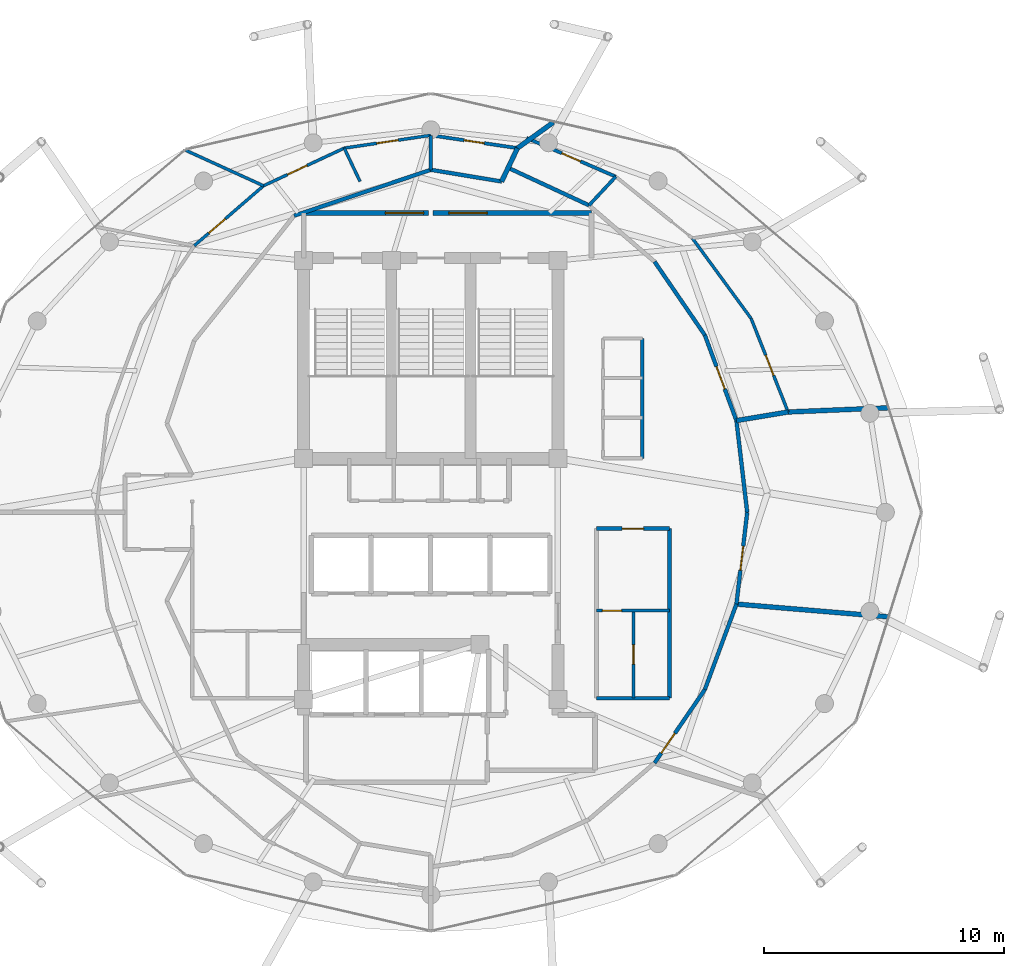
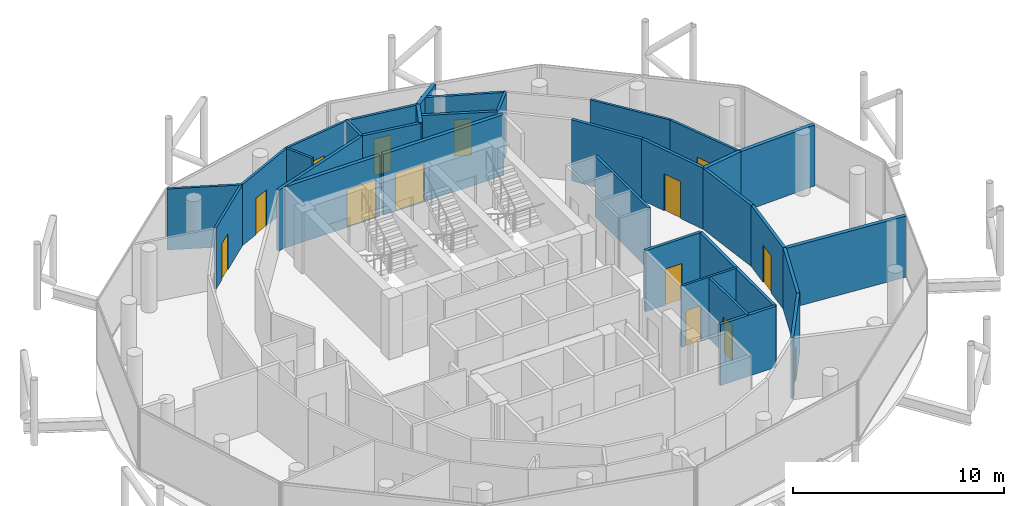
# One storey, part 22 of 24: 33 walls, 14 doors, 14 openings.
"""IFC4 building model written with IfcOpenShell, lengths in metres."""

from ifc_helpers import new_model, si_unit, direction, frame, frame_2d, origin, place, context, subcontext, project, spatial, rectangle, extrude, material, layer, layer_set, type_object, element, fill, save


model = new_model("IFC4")

# Units and contexts
model_context = context("Model", 3, precision=1e-05, world=origin(), true_north=direction((0.0, 1.0)))
body_context = subcontext(model_context, "Body", "Model", "MODEL_VIEW")
ifc_project = project(units=[si_unit("LENGTHUNIT", "METRE"), si_unit("AREAUNIT", "SQUARE_METRE"), si_unit("VOLUMEUNIT", "CUBIC_METRE"), si_unit("PLANEANGLEUNIT", "RADIAN"), si_unit("MASSUNIT", "GRAM", prefix="KILO")], contexts=[model_context])

# Site, building, storey
site_placement = place(None, origin())
site = spatial("IfcSite", under=ifc_project, at=site_placement, CompositionType="ELEMENT")
building_placement = place(site_placement, origin())
building = spatial("IfcBuilding", under=site, at=building_placement, Name="Nuhasar Tower", CompositionType="ELEMENT")
storey_placement = place(building_placement, frame((0.0, 0.0, 289.800048828125)))
storey = spatial("IfcBuildingStorey", under=building, at=storey_placement, Name="L72", CompositionType="ELEMENT", Elevation=289.800048828125)

# Walls
ifc_material_1 = material(Name="Gypsum Board", Category="gypsum")
ifc_layer_1 = layer(ifc_material_1, 0.159912109375)
ifc_layer_set_1 = layer_set([ifc_layer_1], Name="Gypsum Board")
wall_type_1 = type_object("IfcWallType", Name="WL-CORR-160", PredefinedType="PARTITIONING", material=ifc_layer_set_1)
wall_1_placement = place(storey_placement, frame((45.89990234375, 19.050048828125, 0.0), z_axis=(0.0, 0.0, 1.0), x_axis=(1.0, 0.0, 0.0)))
element("IfcWall", 1, at=wall_1_placement, inside=storey, type_object=wall_type_1, Name="L72 Interior Partition RECL-B2-S", PredefinedType="PARTITIONING", context=body_context, shape_type="SweptSolid", body=[
    extrude(rectangle(XDim=3.050048828125, YDim=0.159912109375, at=frame_2d((1.52490234375, 0.0))), origin(), (0.0, 0.0, 1.0), 3.5400390625),
])
wall_2_placement = place(storey_placement, frame((48.949951171875, 19.050048828125, 0.0), z_axis=(0.0, 0.0, 1.0), x_axis=(0.0, 1.0, 0.0)))
element("IfcWall", 2, at=wall_2_placement, inside=storey, type_object=wall_type_1, Name="L72 Interior Partition RECL-B2-E", PredefinedType="PARTITIONING", context=body_context, shape_type="SweptSolid", body=[
    extrude(rectangle(XDim=7.070068359375, YDim=0.159912109375, at=frame_2d((3.53515625, 0.0))), origin(), (0.0, 0.0, 1.0), 3.5400390625),
])

# Wall, opening, door
wall_3_placement = place(storey_placement, frame((48.949951171875, 26.1201171875, 0.0), z_axis=(0.0, 0.0, 1.0), x_axis=(-1.0, 0.0, 0.0)))
wall_3 = element("IfcWall", 3, at=wall_3_placement, inside=storey, type_object=wall_type_1, Name="L72 Interior Partition RECL-B2-N", PredefinedType="PARTITIONING", context=body_context, shape_type="SweptSolid", body=[
    extrude(rectangle(XDim=3.050048828125, YDim=0.159912109375, at=frame_2d((1.52490234375, 0.0))), origin(), (0.0, 0.0, 1.0), 3.5400390625),
])
opening_1_placement = place(wall_3_placement, frame((1.074951171875, 0.0, 0.0)))
opening_1 = element("IfcOpeningElement", 4, at=opening_1_placement, cuts=wall_3, Name="Opening DR-01", PredefinedType="OPENING", context=body_context, shape_type="SweptSolid", body=[
    extrude(rectangle(XDim=0.89990234375, YDim=2.10009765625, at=frame_2d((0.449951171875, 1.050048828125))), frame((0.0, 0.08984375, 0.0), z_axis=(0.0, -1.0, 0.0), x_axis=(1.0, 0.0, 0.0)), (0.0, 0.0, 1.0), 0.179931640625),
])
ifc_material_2 = material(Name="Timber Oak", Category="wood")
door_type_1 = type_object("IfcDoorType", Name="DR-ROOM-900", OperationType="NOTDEFINED", PredefinedType="DOOR", material=ifc_material_2)
door_1_placement = place(opening_1_placement, origin())
door_1 = element("IfcDoor", 5, at=door_1_placement, inside=storey, type_object=door_type_1, Name="L72 Telemetry Closet Door", OperationType="SINGLE_SWING_LEFT", OverallHeight=2.10009765625, OverallWidth=0.89990234375, PredefinedType="DOOR", context=body_context, shape_type="SweptSolid", body=[
    extrude(rectangle(XDim=0.89990234375, YDim=2.10009765625, at=frame_2d((0.449951171875, 1.050048828125))), frame((0.0, 0.02490234375, 0.0), z_axis=(0.0, -1.0, 0.0), x_axis=(1.0, 0.0, 0.0)), (0.0, 0.0, 1.0), 0.050048828125),
])
fill(opening_1, door_1)

wall_4_placement = place(storey_placement, frame((50.423095703125, 19.409912109375, 0.0), z_axis=(0.0, 0.0, 1.0), x_axis=(-0.565044823329, -0.825060208487, 0.0)))
wall_4 = element("IfcWall", 6, at=wall_4_placement, inside=storey, type_object=wall_type_1, Name="L72 Interior Partition CORR-42", PredefinedType="PARTITIONING", context=body_context, shape_type="SweptSolid", body=[
    extrude(rectangle(XDim=3.709716796875, YDim=0.159912109375, at=frame_2d((1.85498046875, 0.0))), origin(), (0.0, 0.0, 1.0), 3.5400390625),
])
opening_2_placement = place(wall_4_placement, frame((2.208984375, 0.0, 0.0)))
opening_2 = element("IfcOpeningElement", 7, at=opening_2_placement, cuts=wall_4, Name="Opening DU-02", PredefinedType="OPENING", context=body_context, shape_type="SweptSolid", body=[
    extrude(rectangle(XDim=1.0, YDim=2.14990234375, at=frame_2d((0.5, 1.074951171875))), frame((0.0, 0.08984375, 0.0), z_axis=(0.0, -1.0, 0.0), x_axis=(1.0, 0.0, 0.0)), (0.0, 0.0, 1.0), 0.179931640625),
])
door_type_2 = type_object("IfcDoorType", Name="DR-FLAT-FD60-1000", OperationType="NOTDEFINED", PredefinedType="DOOR", material=ifc_material_2)
door_2_placement = place(opening_2_placement, origin())
door_2 = element("IfcDoor", 8, at=door_2_placement, inside=storey, type_object=door_type_2, Name="L72 Hydrotherapy Treatment Clinic Entrance Door", OperationType="SINGLE_SWING_RIGHT", OverallHeight=2.14990234375, OverallWidth=1.0, PredefinedType="DOOR", context=body_context, shape_type="SweptSolid", body=[
    extrude(rectangle(XDim=1.0, YDim=2.14990234375, at=frame_2d((0.5, 1.074951171875))), frame((0.0, 0.02490234375, 0.0), z_axis=(0.0, -1.0, 0.0), x_axis=(1.0, 0.0, 0.0)), (0.0, 0.0, 1.0), 0.050048828125),
])
fill(opening_2, door_2)

# Wall
wall_5_placement = place(storey_placement, frame((50.423095703125, 19.409912109375, 0.0), z_axis=(0.0, 0.0, 1.0), x_axis=(0.346720166633, 0.937968616773, 0.0)))
element("IfcWall", 9, at=wall_5_placement, inside=storey, type_object=wall_type_1, Name="L72 Interior Partition CORR-44", PredefinedType="PARTITIONING", context=body_context, shape_type="SweptSolid", body=[
    extrude(rectangle(XDim=3.801025390625, YDim=0.159912109375, at=frame_2d((1.900390625, 0.0))), origin(), (0.0, 0.0, 1.0), 3.5400390625),
])

# Wall, opening, door
wall_6_placement = place(storey_placement, frame((52.18994140625, 26.800048828125, 0.0), z_axis=(0.0, 0.0, 1.0), x_axis=(-0.116580098154, -0.993181292974, 0.0)))
wall_6 = element("IfcWall", 10, at=wall_6_placement, inside=storey, type_object=wall_type_1, Name="L72 Interior Partition CORR-46", PredefinedType="PARTITIONING", context=body_context, shape_type="SweptSolid", body=[
    extrude(rectangle(XDim=3.851318359375, YDim=0.159912109375, at=frame_2d((1.92578125, 0.0))), origin(), (0.0, 0.0, 1.0), 3.5400390625),
])
opening_3_placement = place(wall_6_placement, frame((1.426025390625, 0.0, 0.0)))
opening_3 = element("IfcOpeningElement", 11, at=opening_3_placement, cuts=wall_6, Name="Opening DU-02", PredefinedType="OPENING", context=body_context, shape_type="SweptSolid", body=[
    extrude(rectangle(XDim=1.0, YDim=2.14990234375, at=frame_2d((0.5, 1.074951171875))), frame((0.0, 0.08984375, 0.0), z_axis=(0.0, -1.0, 0.0), x_axis=(1.0, 0.0, 0.0)), (0.0, 0.0, 1.0), 0.179931640625),
])
door_3_placement = place(opening_3_placement, origin())
door_3 = element("IfcDoor", 12, at=door_3_placement, inside=storey, type_object=door_type_2, Name="L72 Security & Butler Staff Office Entrance Door", OperationType="SINGLE_SWING_LEFT", OverallHeight=2.14990234375, OverallWidth=1.0, PredefinedType="DOOR", context=body_context, shape_type="SweptSolid", body=[
    extrude(rectangle(XDim=1.0, YDim=2.14990234375, at=frame_2d((0.5, 1.074951171875))), frame((0.0, 0.02490234375, 0.0), z_axis=(0.0, -1.0, 0.0), x_axis=(1.0, 0.0, 0.0)), (0.0, 0.0, 1.0), 0.050048828125),
])
fill(opening_3, door_3)

# Wall
wall_7_placement = place(storey_placement, frame((52.18994140625, 26.800048828125, 0.0), z_axis=(0.0, 0.0, 1.0), x_axis=(-0.116580098154, 0.993181292974, 0.0)))
element("IfcWall", 13, at=wall_7_placement, inside=storey, type_object=wall_type_1, Name="L72 Interior Partition CORR-00", PredefinedType="PARTITIONING", context=body_context, shape_type="SweptSolid", body=[
    extrude(rectangle(XDim=3.851318359375, YDim=0.159912109375, at=frame_2d((1.92578125, 0.0))), origin(), (0.0, 0.0, 1.0), 3.5400390625),
])

# Wall, opening, door
wall_8_placement = place(storey_placement, frame((50.423095703125, 34.18994140625, 0.0), z_axis=(0.0, 0.0, 1.0), x_axis=(0.346741056612, -0.937960894526, 0.0)))
wall_8 = element("IfcWall", 14, at=wall_8_placement, inside=storey, type_object=wall_type_1, Name="L72 Interior Partition CORR-02", PredefinedType="PARTITIONING", context=body_context, shape_type="SweptSolid", body=[
    extrude(rectangle(XDim=3.80078125, YDim=0.159912109375, at=frame_2d((1.900390625, 0.0))), origin(), (0.0, 0.0, 1.0), 3.5400390625),
])
opening_4_placement = place(wall_8_placement, frame((1.39990234375, 0.0, 0.0)))
opening_4 = element("IfcOpeningElement", 15, at=opening_4_placement, cuts=wall_8, Name="Opening DU-02", PredefinedType="OPENING", context=body_context, shape_type="SweptSolid", body=[
    extrude(rectangle(XDim=1.0, YDim=2.14990234375, at=frame_2d((0.5, 1.074951171875))), frame((0.0, 0.08984375, 0.0), z_axis=(0.0, -1.0, 0.0), x_axis=(1.0, 0.0, 0.0)), (0.0, 0.0, 1.0), 0.179931640625),
])
door_4_placement = place(opening_4_placement, origin())
door_4 = element("IfcDoor", 16, at=door_4_placement, inside=storey, type_object=door_type_2, Name="L72 Royal Summit Sky Villa Entrance Door", OperationType="SINGLE_SWING_LEFT", OverallHeight=2.14990234375, OverallWidth=1.0, PredefinedType="DOOR", context=body_context, shape_type="SweptSolid", body=[
    extrude(rectangle(XDim=1.0, YDim=2.14990234375, at=frame_2d((0.5, 1.074951171875))), frame((0.0, 0.02490234375, 0.0), z_axis=(0.0, -1.0, 0.0), x_axis=(1.0, 0.0, 0.0)), (0.0, 0.0, 1.0), 0.050048828125),
])
fill(opening_4, door_4)

# Walls
wall_9_placement = place(storey_placement, frame((50.423095703125, 34.18994140625, 0.0), z_axis=(0.0, 0.0, 1.0), x_axis=(-0.565014144236, 0.825081218313, 0.0)))
element("IfcWall", 17, at=wall_9_placement, inside=storey, type_object=wall_type_1, Name="L72 Interior Partition CORR-04", PredefinedType="PARTITIONING", context=body_context, shape_type="SweptSolid", body=[
    extrude(rectangle(XDim=3.7099609375, YDim=0.159912109375, at=frame_2d((1.85498046875, 0.0))), origin(), (0.0, 0.0, 1.0), 3.5400390625),
])
wall_10_placement = place(storey_placement, frame((45.594970703125, 39.60009765625, 0.0), z_axis=(0.0, 0.0, 1.0), x_axis=(-0.907123576348, 0.420864369166, 0.0)))
element("IfcWall", 18, at=wall_10_placement, inside=storey, type_object=wall_type_1, Name="L72 Interior Partition CORR-08", PredefinedType="PARTITIONING", context=body_context, shape_type="SweptSolid", body=[
    extrude(rectangle(XDim=3.718505859375, YDim=0.159912109375, at=frame_2d((1.859375, 0.0))), origin(), (0.0, 0.0, 1.0), 3.5400390625),
])
wall_11_placement = place(storey_placement, frame((41.950927734375, 40.593017578125, 0.0), z_axis=(0.0, 0.0, 1.0), x_axis=(-0.986650832406, 0.162850038111, 0.0)))
element("IfcWall", 19, at=wall_11_placement, inside=storey, type_object=wall_type_1, Name="L72 Interior Partition UWEST-CORE-N1-10", PredefinedType="PARTITIONING", context=body_context, shape_type="SweptSolid", body=[
    extrude(rectangle(XDim=2.990966796875, YDim=0.159912109375, at=frame_2d((1.49560546875, 0.0))), origin(), (0.0, 0.0, 1.0), 3.5400390625),
])
wall_12_placement = place(storey_placement, frame((39.0, 41.080078125, 0.0), z_axis=(0.0, 0.0, 1.0), x_axis=(-0.948027514656, -0.318188358455, 0.0)))
element("IfcWall", 20, at=wall_12_placement, inside=storey, type_object=wall_type_1, Name="L72 Interior Partition UWEST-CORE-N2-12", PredefinedType="PARTITIONING", context=body_context, shape_type="SweptSolid", body=[
    extrude(rectangle(XDim=6.012451171875, YDim=0.159912109375, at=frame_2d((3.00634765625, 0.0))), origin(), (0.0, 0.0, 1.0), 3.5400390625),
])

# Wall, opening, door
ifc_material_3 = material(Name="Concrete C45/55", Category="concrete")
ifc_layer_2 = layer(ifc_material_3, 0.199951171875)
ifc_layer_set_2 = layer_set([ifc_layer_2], Name="Concrete C45/55")
wall_type_2 = type_object("IfcWallType", Name="WL-LOBBY-200", PredefinedType="SOLIDWALL", material=ifc_layer_set_2)
wall_13_placement = place(storey_placement, frame((38.89990234375, 39.280029296875, 0.0), z_axis=(0.0, 0.0, 1.0), x_axis=(-1.0, 0.0, 0.0)))
wall_13 = element("IfcWall", 21, at=wall_13_placement, inside=storey, type_object=wall_type_2, Name="L72 Interior Partition NSL-N1", PredefinedType="SOLIDWALL", context=body_context, shape_type="SweptSolid", body=[
    extrude(rectangle(XDim=5.199951171875, YDim=0.199951171875, at=frame_2d((2.60009765625, 0.0))), origin(), (0.0, 0.0, 1.0), 3.5400390625),
])
opening_5_placement = place(wall_13_placement, frame((0.199951171875, 0.0, 0.0)))
opening_5 = element("IfcOpeningElement", 22, at=opening_5_placement, cuts=wall_13, Name="Opening DC-01", PredefinedType="OPENING", context=body_context, shape_type="SweptSolid", body=[
    extrude(rectangle(XDim=1.60009765625, YDim=2.199951171875, at=frame_2d((0.800048828125, 1.10009765625))), frame((0.0, 0.10986328125, 0.0), z_axis=(0.0, -1.0, 0.0), x_axis=(1.0, 0.0, 0.0)), (0.0, 0.0, 1.0), 0.219970703125),
])
ifc_material_4 = material(Name="Steel S355", Category="steel")
door_type_3 = type_object("IfcDoorType", Name="DR-CORR-FD60-1600", OperationType="DOUBLE_DOOR_SINGLE_SWING", PredefinedType="DOOR", material=ifc_material_4)
door_5_placement = place(opening_5_placement, origin())
door_5 = element("IfcDoor", 23, at=door_5_placement, inside=storey, type_object=door_type_3, Name="L72 North Stair Lobby West Door", OperationType="DOUBLE_DOOR_SINGLE_SWING", OverallHeight=2.199951171875, OverallWidth=1.60009765625, PredefinedType="DOOR", context=body_context, shape_type="SweptSolid", body=[
    extrude(rectangle(XDim=1.60009765625, YDim=2.199951171875, at=frame_2d((0.800048828125, 1.10009765625))), frame((0.0, 0.02490234375, 0.0), z_axis=(0.0, -1.0, 0.0), x_axis=(1.0, 0.0, 0.0)), (0.0, 0.0, 1.0), 0.050048828125),
])
fill(opening_5, door_5)

wall_14_placement = place(storey_placement, frame((45.699951171875, 39.280029296875, 0.0), z_axis=(0.0, 0.0, 1.0), x_axis=(-1.0, 0.0, 0.0)))
wall_14 = element("IfcWall", 24, at=wall_14_placement, inside=storey, type_object=wall_type_2, Name="L72 Interior Partition NSL-N2", PredefinedType="SOLIDWALL", context=body_context, shape_type="SweptSolid", body=[
    extrude(rectangle(XDim=6.599853515625, YDim=0.199951171875, at=frame_2d((3.2998046875, 0.0))), origin(), (0.0, 0.0, 1.0), 3.5400390625),
])
opening_6_placement = place(wall_14_placement, frame((4.35009765625, 0.0, 0.0)))
opening_6 = element("IfcOpeningElement", 25, at=opening_6_placement, cuts=wall_14, Name="Opening DC-01", PredefinedType="OPENING", context=body_context, shape_type="SweptSolid", body=[
    extrude(rectangle(XDim=1.60009765625, YDim=2.199951171875, at=frame_2d((0.800048828125, 1.10009765625))), frame((0.0, 0.10986328125, 0.0), z_axis=(0.0, -1.0, 0.0), x_axis=(1.0, 0.0, 0.0)), (0.0, 0.0, 1.0), 0.219970703125),
])
door_6_placement = place(opening_6_placement, origin())
door_6 = element("IfcDoor", 26, at=door_6_placement, inside=storey, type_object=door_type_3, Name="L72 North Stair Lobby East Door", OperationType="DOUBLE_DOOR_SINGLE_SWING", OverallHeight=2.199951171875, OverallWidth=1.60009765625, PredefinedType="DOOR", context=body_context, shape_type="SweptSolid", body=[
    extrude(rectangle(XDim=1.60009765625, YDim=2.199951171875, at=frame_2d((0.800048828125, 1.10009765625))), frame((0.0, 0.02490234375, 0.0), z_axis=(0.0, -1.0, 0.0), x_axis=(1.0, 0.0, 0.0)), (0.0, 0.0, 1.0), 0.050048828125),
])
fill(opening_6, door_6)

ifc_layer_3 = layer(ifc_material_1, 0.125)
ifc_layer_set_3 = layer_set([ifc_layer_3], Name="Gypsum Board")
wall_type_3 = type_object("IfcWallType", Name="WL-PART-125", PredefinedType="PARTITIONING", material=ifc_layer_set_3)
wall_15_placement = place(storey_placement, frame((47.449951171875, 22.699951171875, 0.0), z_axis=(0.0, 0.0, 1.0), x_axis=(0.0, -1.0, 0.0)))
wall_15 = element("IfcWall", 27, at=wall_15_placement, inside=storey, type_object=wall_type_3, Name="L72 Interior Partition RECL-B2-V", PredefinedType="PARTITIONING", context=body_context, shape_type="SweptSolid", body=[
    extrude(rectangle(XDim=3.64990234375, YDim=0.125, at=frame_2d((1.824951171875, 0.0))), origin(), (0.0, 0.0, 1.0), 3.5400390625),
])
opening_7_placement = place(wall_15_placement, frame((1.425048828125, 0.0, 0.0)))
opening_7 = element("IfcOpeningElement", 28, at=opening_7_placement, cuts=wall_15, Name="Opening DM-01", PredefinedType="OPENING", context=body_context, shape_type="SweptSolid", body=[
    extrude(rectangle(XDim=0.800048828125, YDim=2.050048828125, at=frame_2d((0.39990234375, 1.02490234375))), frame((0.0, 0.072509765625, 0.0), z_axis=(0.0, -1.0, 0.0), x_axis=(1.0, 0.0, 0.0)), (0.0, 0.0, 1.0), 0.14501953125),
])
door_type_4 = type_object("IfcDoorType", Name="DR-RISER-FD60-800", OperationType="NOTDEFINED", PredefinedType="DOOR", material=ifc_material_4)
door_7_placement = place(opening_7_placement, origin())
door_7 = element("IfcDoor", 29, at=door_7_placement, inside=storey, type_object=door_type_4, Name="L72 Archive Closet Door", OperationType="SINGLE_SWING_LEFT", OverallHeight=2.050048828125, OverallWidth=0.800048828125, PredefinedType="DOOR", context=body_context, shape_type="SweptSolid", body=[
    extrude(rectangle(XDim=0.800048828125, YDim=2.050048828125, at=frame_2d((0.39990234375, 1.02490234375))), frame((0.0, 0.02490234375, 0.0), z_axis=(0.0, -1.0, 0.0), x_axis=(1.0, 0.0, 0.0)), (0.0, 0.0, 1.0), 0.050048828125),
])
fill(opening_7, door_7)

wall_16_placement = place(storey_placement, frame((48.949951171875, 22.699951171875, 0.0), z_axis=(0.0, 0.0, 1.0), x_axis=(-1.0, 0.0, 0.0)))
wall_16 = element("IfcWall", 30, at=wall_16_placement, inside=storey, type_object=wall_type_3, Name="L72 Interior Partition RECL-B2-M", PredefinedType="PARTITIONING", context=body_context, shape_type="SweptSolid", body=[
    extrude(rectangle(XDim=3.050048828125, YDim=0.125, at=frame_2d((1.52490234375, 0.0))), origin(), (0.0, 0.0, 1.0), 3.5400390625),
])
opening_8_placement = place(wall_16_placement, frame((2.0, 0.0, 0.0)))
opening_8 = element("IfcOpeningElement", 31, at=opening_8_placement, cuts=wall_16, Name="Opening DM-01", PredefinedType="OPENING", context=body_context, shape_type="SweptSolid", body=[
    extrude(rectangle(XDim=0.800048828125, YDim=2.050048828125, at=frame_2d((0.39990234375, 1.02490234375))), frame((0.0, 0.072509765625, 0.0), z_axis=(0.0, -1.0, 0.0), x_axis=(1.0, 0.0, 0.0)), (0.0, 0.0, 1.0), 0.14501953125),
])
door_8_placement = place(opening_8_placement, origin())
door_8 = element("IfcDoor", 32, at=door_8_placement, inside=storey, type_object=door_type_4, Name="L72 Trunk Store Door", OperationType="SINGLE_SWING_RIGHT", OverallHeight=2.050048828125, OverallWidth=0.800048828125, PredefinedType="DOOR", context=body_context, shape_type="SweptSolid", body=[
    extrude(rectangle(XDim=0.800048828125, YDim=2.050048828125, at=frame_2d((0.39990234375, 1.02490234375))), frame((0.0, 0.02490234375, 0.0), z_axis=(0.0, -1.0, 0.0), x_axis=(1.0, 0.0, 0.0)), (0.0, 0.0, 1.0), 0.050048828125),
])
fill(opening_8, door_8)

wall_17_placement = place(storey_placement, frame((52.35400390625, 34.8798828125, 0.0), z_axis=(0.0, 0.0, 1.0), x_axis=(0.367731535022, -0.929931996519, 0.0)))
wall_17 = element("IfcWall", 33, at=wall_17_placement, inside=storey, type_object=wall_type_3, Name="L72 Interior Partition UMID-04-A-02", PredefinedType="PARTITIONING", context=body_context, shape_type="SweptSolid", body=[
    extrude(rectangle(XDim=4.190673828125, YDim=0.125, at=frame_2d((2.09521484375, 0.0))), origin(), (0.0, 0.0, 1.0), 3.5400390625),
])
opening_9_placement = place(wall_17_placement, frame((1.64501953125, 0.0, 0.0)))
opening_9 = element("IfcOpeningElement", 34, at=opening_9_placement, cuts=wall_17, Name="Opening DR-01", PredefinedType="OPENING", context=body_context, shape_type="SweptSolid", body=[
    extrude(rectangle(XDim=0.89990234375, YDim=2.10009765625, at=frame_2d((0.449951171875, 1.050048828125))), frame((0.0, 0.072509765625, 0.0), z_axis=(0.0, -1.0, 0.0), x_axis=(1.0, 0.0, 0.0)), (0.0, 0.0, 1.0), 0.14501953125),
])
door_9_placement = place(opening_9_placement, origin())
door_9 = element("IfcDoor", 35, at=door_9_placement, inside=storey, type_object=door_type_1, Name="L72 U04 Living Door", OperationType="SINGLE_SWING_RIGHT", OverallHeight=2.10009765625, OverallWidth=0.89990234375, PredefinedType="DOOR", context=body_context, shape_type="SweptSolid", body=[
    extrude(rectangle(XDim=0.89990234375, YDim=2.10009765625, at=frame_2d((0.449951171875, 1.050048828125))), frame((0.0, 0.02490234375, 0.0), z_axis=(0.0, -1.0, 0.0), x_axis=(1.0, 0.0, 0.0)), (0.0, 0.0, 1.0), 0.050048828125),
])
fill(opening_9, door_9)

# Walls
wall_18_placement = place(storey_placement, frame((52.35400390625, 34.8798828125, 0.0), z_axis=(0.0, 0.0, 1.0), x_axis=(-0.590636208364, 0.806937958811, 0.0)))
element("IfcWall", 36, at=wall_18_placement, inside=storey, type_object=wall_type_3, Name="L72 Interior Partition UMID-04-A-04", PredefinedType="PARTITIONING", context=body_context, shape_type="SweptSolid", body=[
    extrude(rectangle(XDim=4.14794921875, YDim=0.125, at=frame_2d((2.073974609375, 0.0))), origin(), (0.0, 0.0, 1.0), 3.5400390625),
])
wall_19_placement = place(storey_placement, frame((36.049072265625, 40.593017578125, 0.0), z_axis=(0.0, 0.0, 1.0), x_axis=(-0.428788325004, 0.903404987998, 0.0)))
element("IfcWall", 37, at=wall_19_placement, inside=storey, type_object=wall_type_3, Name="L72 Interior Partition USI-1-KD", PredefinedType="PARTITIONING", context=body_context, shape_type="SweptSolid", body=[
    extrude(rectangle(XDim=1.53955078125, YDim=0.125, at=frame_2d((0.769775390625, 0.0))), origin(), (0.0, 0.0, 1.0), 3.5400390625),
])

# Wall, opening, door
wall_20_placement = place(storey_placement, frame((35.388916015625, 41.98388671875, 0.0), z_axis=(0.0, 0.0, 1.0), x_axis=(0.989157453542, 0.146858884996, 0.0)))
wall_20 = element("IfcWall", 38, at=wall_20_placement, inside=storey, type_object=wall_type_3, Name="L72 Interior Partition USM-1-K-12", PredefinedType="PARTITIONING", context=body_context, shape_type="SweptSolid", body=[
    extrude(rectangle(XDim=3.650634765625, YDim=0.125, at=frame_2d((1.8251953125, 0.0))), origin(), (0.0, 0.0, 1.0), 3.5400390625),
])
opening_10_placement = place(wall_20_placement, frame((1.375, 0.0, 0.0)))
opening_10 = element("IfcOpeningElement", 39, at=opening_10_placement, cuts=wall_20, Name="Opening DR-01", PredefinedType="OPENING", context=body_context, shape_type="SweptSolid", body=[
    extrude(rectangle(XDim=0.89990234375, YDim=2.10009765625, at=frame_2d((0.449951171875, 1.050048828125))), frame((0.0, 0.072509765625, 0.0), z_axis=(0.0, -1.0, 0.0), x_axis=(1.0, 0.0, 0.0)), (0.0, 0.0, 1.0), 0.14501953125),
])
door_10_placement = place(opening_10_placement, origin())
door_10 = element("IfcDoor", 40, at=door_10_placement, inside=storey, type_object=door_type_1, Name="L72 North-West Sky Home Kitchen Door", OperationType="SINGLE_SWING_LEFT", OverallHeight=2.10009765625, OverallWidth=0.89990234375, PredefinedType="DOOR", context=body_context, shape_type="SweptSolid", body=[
    extrude(rectangle(XDim=0.89990234375, YDim=2.10009765625, at=frame_2d((0.449951171875, 1.050048828125))), frame((0.0, 0.02490234375, 0.0), z_axis=(0.0, -1.0, 0.0), x_axis=(1.0, 0.0, 0.0)), (0.0, 0.0, 1.0), 0.050048828125),
])
fill(opening_10, door_10)

wall_21_placement = place(storey_placement, frame((32.02490234375, 40.4140625, 0.0), z_axis=(0.0, 0.0, 1.0), x_axis=(0.906188180382, 0.422874664334, 0.0)))
wall_21 = element("IfcWall", 41, at=wall_21_placement, inside=storey, type_object=wall_type_3, Name="L72 Interior Partition USM-1-D-14", PredefinedType="PARTITIONING", context=body_context, shape_type="SweptSolid", body=[
    extrude(rectangle(XDim=3.712158203125, YDim=0.125, at=frame_2d((1.85595703125, 0.0))), origin(), (0.0, 0.0, 1.0), 3.5400390625),
])
opening_11_placement = place(wall_21_placement, frame((1.10400390625, 0.0, 0.0)))
opening_11 = element("IfcOpeningElement", 42, at=opening_11_placement, cuts=wall_21, Name="Opening DR-01", PredefinedType="OPENING", context=body_context, shape_type="SweptSolid", body=[
    extrude(rectangle(XDim=0.89990234375, YDim=2.10009765625, at=frame_2d((0.449951171875, 1.050048828125))), frame((0.0, 0.072509765625, 0.0), z_axis=(0.0, -1.0, 0.0), x_axis=(1.0, 0.0, 0.0)), (0.0, 0.0, 1.0), 0.14501953125),
])
door_11_placement = place(opening_11_placement, origin())
door_11 = element("IfcDoor", 43, at=door_11_placement, inside=storey, type_object=door_type_1, Name="L72 North-West Sky Home Master Bedroom Door", OperationType="SINGLE_SWING_LEFT", OverallHeight=2.10009765625, OverallWidth=0.89990234375, PredefinedType="DOOR", context=body_context, shape_type="SweptSolid", body=[
    extrude(rectangle(XDim=0.89990234375, YDim=2.10009765625, at=frame_2d((0.449951171875, 1.050048828125))), frame((0.0, 0.02490234375, 0.0), z_axis=(0.0, -1.0, 0.0), x_axis=(1.0, 0.0, 0.0)), (0.0, 0.0, 1.0), 0.050048828125),
])
fill(opening_11, door_11)

wall_22_placement = place(storey_placement, frame((29.135986328125, 37.916015625, 0.0), z_axis=(0.0, 0.0, 1.0), x_axis=(0.756424716633, 0.654080765706, 0.0)))
wall_22 = element("IfcWall", 44, at=wall_22_placement, inside=storey, type_object=wall_type_3, Name="L72 Interior Partition USM-1-D-16", PredefinedType="PARTITIONING", context=body_context, shape_type="SweptSolid", body=[
    extrude(rectangle(XDim=3.819091796875, YDim=0.125, at=frame_2d((1.90966796875, 0.0))), origin(), (0.0, 0.0, 1.0), 3.5400390625),
])
opening_12_placement = place(wall_22_placement, frame((0.803955078125, 0.0, 0.0)))
opening_12 = element("IfcOpeningElement", 45, at=opening_12_placement, cuts=wall_22, Name="Opening DR-01", PredefinedType="OPENING", context=body_context, shape_type="SweptSolid", body=[
    extrude(rectangle(XDim=0.89990234375, YDim=2.10009765625, at=frame_2d((0.449951171875, 1.050048828125))), frame((0.0, 0.072509765625, 0.0), z_axis=(0.0, -1.0, 0.0), x_axis=(1.0, 0.0, 0.0)), (0.0, 0.0, 1.0), 0.14501953125),
])
door_12_placement = place(opening_12_placement, origin())
door_12 = element("IfcDoor", 46, at=door_12_placement, inside=storey, type_object=door_type_1, Name="L72 North-West Sky Home Study Door", OperationType="SINGLE_SWING_LEFT", OverallHeight=2.10009765625, OverallWidth=0.89990234375, PredefinedType="DOOR", context=body_context, shape_type="SweptSolid", body=[
    extrude(rectangle(XDim=0.89990234375, YDim=2.10009765625, at=frame_2d((0.449951171875, 1.050048828125))), frame((0.0, 0.02490234375, 0.0), z_axis=(0.0, -1.0, 0.0), x_axis=(1.0, 0.0, 0.0)), (0.0, 0.0, 1.0), 0.050048828125),
])
fill(opening_12, door_12)

# Walls
wall_23_placement = place(storey_placement, frame((32.02490234375, 40.4140625, 0.0), z_axis=(0.0, 0.0, 1.0), x_axis=(-0.90988404677, 0.414862653698, 0.0)))
element("IfcWall", 47, at=wall_23_placement, inside=storey, type_object=wall_type_3, Name="L72 Interior Partition USO-1-B1", PredefinedType="PARTITIONING", context=body_context, shape_type="SweptSolid", body=[
    extrude(rectangle(XDim=3.557373046875, YDim=0.125, at=frame_2d((1.77880859375, 0.0))), origin(), (0.0, 0.0, 1.0), 3.5400390625),
])
ifc_material_5 = material(Name="Concrete C40/50 precast", Category="concrete")
ifc_layer_4 = layer(ifc_material_5, 0.199951171875)
ifc_layer_set_4 = layer_set([ifc_layer_4], Name="Concrete C40/50 precast")
wall_type_4 = type_object("IfcWallType", Name="WL-UNIT-200", PredefinedType="PARTITIONING", material=ifc_layer_set_4)
wall_24_placement = place(storey_placement, frame((41.950927734375, 40.593017578125, 0.0), z_axis=(0.0, 0.0, 1.0), x_axis=(0.428788325004, 0.903404987998, 0.0)))
element("IfcWall", 48, at=wall_24_placement, inside=storey, type_object=wall_type_4, Name="L72 Interior Partition URAD-10-NW-S1", PredefinedType="PARTITIONING", context=body_context, shape_type="SweptSolid", body=[
    extrude(rectangle(XDim=1.53955078125, YDim=0.199951171875, at=frame_2d((0.769775390625, 0.0))), origin(), (0.0, 0.0, 1.0), 3.5400390625),
])
wall_25_placement = place(storey_placement, frame((42.611083984375, 41.98388671875, 0.0), z_axis=(0.0, 0.0, 1.0), x_axis=(0.812072329423, 0.583556793967, 0.0)))
element("IfcWall", 49, at=wall_25_placement, inside=storey, type_object=wall_type_4, Name="L72 Interior Partition URAD-10-NW-S2", PredefinedType="PARTITIONING", context=body_context, shape_type="SweptSolid", body=[
    extrude(rectangle(XDim=1.8408203125, YDim=0.199951171875, at=frame_2d((0.92041015625, 0.0))), origin(), (0.0, 0.0, 1.0), 3.5400390625),
])
wall_26_placement = place(storey_placement, frame((51.740966796875, 22.97509765625, 0.0), z_axis=(0.0, 0.0, 1.0), x_axis=(0.996484389559, -0.083778645044, 0.0)))
element("IfcWall", 50, at=wall_26_placement, inside=storey, type_object=wall_type_4, Name="L72 Interior Partition URAD-46", PredefinedType="PARTITIONING", context=body_context, shape_type="SweptSolid", body=[
    extrude(rectangle(XDim=6.338134765625, YDim=0.199951171875, at=frame_2d((3.1689453125, 0.0))), origin(), (0.0, 0.0, 1.0), 3.5400390625),
])
wall_27_placement = place(storey_placement, frame((51.740966796875, 30.625, 0.0), z_axis=(0.0, 0.0, 1.0), x_axis=(0.986475391434, 0.163909432601, 0.0)))
element("IfcWall", 51, at=wall_27_placement, inside=storey, type_object=wall_type_4, Name="L72 Interior Partition URAD-02-S1", PredefinedType="PARTITIONING", context=body_context, shape_type="SweptSolid", body=[
    extrude(rectangle(XDim=2.18359375, YDim=0.199951171875, at=frame_2d((1.091796875, 0.0))), origin(), (0.0, 0.0, 1.0), 3.5400390625),
])
wall_28_placement = place(storey_placement, frame((53.89501953125, 30.98291015625, 0.0), z_axis=(0.0, 0.0, 1.0), x_axis=(0.999126458002, 0.041789004784, 0.0)))
element("IfcWall", 52, at=wall_28_placement, inside=storey, type_object=wall_type_4, Name="L72 Interior Partition URAD-02-S2", PredefinedType="PARTITIONING", context=body_context, shape_type="SweptSolid", body=[
    extrude(rectangle(XDim=4.16552734375, YDim=0.199951171875, at=frame_2d((2.082763671875, 0.0))), origin(), (0.0, 0.0, 1.0), 3.5400390625),
])
ifc_layer_5 = layer(ifc_material_5, 0.139892578125)
ifc_layer_set_5 = layer_set([ifc_layer_5], Name="Concrete C40/50 precast")
wall_type_5 = type_object("IfcWallType", Name="WL-WET-140", PredefinedType="PARTITIONING", material=ifc_layer_set_5)
wall_29_placement = place(storey_placement, frame((47.820068359375, 29.050048828125, 0.0), z_axis=(0.0, 0.0, 1.0), x_axis=(0.0, 1.0, 0.0)))
element("IfcWall", 53, at=wall_29_placement, inside=storey, type_object=wall_type_5, Name="L72 Interior Partition K1-NE-E", PredefinedType="PARTITIONING", context=body_context, shape_type="SweptSolid", body=[
    extrude(rectangle(XDim=5.0, YDim=0.139892578125, at=frame_2d((2.5, 0.0))), origin(), (0.0, 0.0, 1.0), 3.5400390625),
])

# Wall, opening, door
wall_30_placement = place(storey_placement, frame((42.990966796875, 42.408935546875, 0.0), z_axis=(0.0, 0.0, 1.0), x_axis=(0.917335052278, -0.398116065818, 0.0)))
wall_30 = element("IfcWall", 54, at=wall_30_placement, inside=storey, type_object=wall_type_5, Name="L72 Interior Partition UMID-04-B-08", PredefinedType="PARTITIONING", context=body_context, shape_type="SweptSolid", body=[
    extrude(rectangle(XDim=4.05419921875, YDim=0.139892578125, at=frame_2d((2.027099609375, 0.0))), origin(), (0.0, 0.0, 1.0), 3.5400390625),
])
opening_13_placement = place(wall_30_placement, frame((1.60205078125, 0.0, 0.0)))
opening_13 = element("IfcOpeningElement", 55, at=opening_13_placement, cuts=wall_30, Name="Opening DB-01", PredefinedType="OPENING", context=body_context, shape_type="SweptSolid", body=[
    extrude(rectangle(XDim=0.85009765625, YDim=2.10009765625, at=frame_2d((0.425048828125, 1.050048828125))), frame((0.0, 0.080078125, 0.0), z_axis=(0.0, -1.0, 0.0), x_axis=(1.0, 0.0, 0.0)), (0.0, 0.0, 1.0), 0.159912109375),
])
door_type_5 = type_object("IfcDoorType", Name="DR-BATH-850", OperationType="NOTDEFINED", PredefinedType="DOOR", material=ifc_material_2)
door_13_placement = place(opening_13_placement, origin())
door_13 = element("IfcDoor", 56, at=door_13_placement, inside=storey, type_object=door_type_5, Name="L72 U04 Bathroom Door", OperationType="SINGLE_SWING_LEFT", OverallHeight=2.10009765625, OverallWidth=0.85009765625, PredefinedType="DOOR", context=body_context, shape_type="SweptSolid", body=[
    extrude(rectangle(XDim=0.85009765625, YDim=2.10009765625, at=frame_2d((0.425048828125, 1.050048828125))), frame((0.0, 0.02490234375, 0.0), z_axis=(0.0, -1.0, 0.0), x_axis=(1.0, 0.0, 0.0)), (0.0, 0.0, 1.0), 0.050048828125),
])
fill(opening_13, door_13)

# Walls
wall_31_placement = place(storey_placement, frame((45.594970703125, 39.60009765625, 0.0), z_axis=(0.0, 0.0, 1.0), x_axis=(0.682259699027, 0.731109911767, 0.0)))
element("IfcWall", 57, at=wall_31_placement, inside=storey, type_object=wall_type_5, Name="L72 Interior Partition UIN-04-K", PredefinedType="PARTITIONING", context=body_context, shape_type="SweptSolid", body=[
    extrude(rectangle(XDim=1.63427734375, YDim=0.139892578125, at=frame_2d((0.817138671875, 0.0))), origin(), (0.0, 0.0, 1.0), 3.5400390625),
])
wall_32_placement = place(storey_placement, frame((39.0, 41.080078125, 0.0), z_axis=(0.0, 0.0, 1.0), x_axis=(0.0, 1.0, 0.0)))
element("IfcWall", 58, at=wall_32_placement, inside=storey, type_object=wall_type_5, Name="L72 Interior Partition USI-1-BK", PredefinedType="PARTITIONING", context=body_context, shape_type="SweptSolid", body=[
    extrude(rectangle(XDim=1.43994140625, YDim=0.139892578125, at=frame_2d((0.719970703125, 0.0))), origin(), (0.0, 0.0, 1.0), 3.5400390625),
])

# Wall, opening, door
wall_33_placement = place(storey_placement, frame((39.0, 42.52001953125, 0.0), z_axis=(0.0, 0.0, 1.0), x_axis=(0.989157453542, -0.146858884996, 0.0)))
wall_33 = element("IfcWall", 59, at=wall_33_placement, inside=storey, type_object=wall_type_5, Name="L72 Interior Partition USM-1-B-10", PredefinedType="PARTITIONING", context=body_context, shape_type="SweptSolid", body=[
    extrude(rectangle(XDim=3.650634765625, YDim=0.139892578125, at=frame_2d((1.8251953125, 0.0))), origin(), (0.0, 0.0, 1.0), 3.5400390625),
])
opening_14_placement = place(wall_33_placement, frame((1.39990234375, 0.0, 0.0)))
opening_14 = element("IfcOpeningElement", 60, at=opening_14_placement, cuts=wall_33, Name="Opening DB-01", PredefinedType="OPENING", context=body_context, shape_type="SweptSolid", body=[
    extrude(rectangle(XDim=0.85009765625, YDim=2.10009765625, at=frame_2d((0.425048828125, 1.050048828125))), frame((0.0, 0.080078125, 0.0), z_axis=(0.0, -1.0, 0.0), x_axis=(1.0, 0.0, 0.0)), (0.0, 0.0, 1.0), 0.159912109375),
])
door_14_placement = place(opening_14_placement, origin())
door_14 = element("IfcDoor", 61, at=door_14_placement, inside=storey, type_object=door_type_5, Name="L72 North-West Sky Home En-Suite Door", OperationType="SINGLE_SWING_RIGHT", OverallHeight=2.10009765625, OverallWidth=0.85009765625, PredefinedType="DOOR", context=body_context, shape_type="SweptSolid", body=[
    extrude(rectangle(XDim=0.85009765625, YDim=2.10009765625, at=frame_2d((0.425048828125, 1.050048828125))), frame((0.0, 0.02490234375, 0.0), z_axis=(0.0, -1.0, 0.0), x_axis=(1.0, 0.0, 0.0)), (0.0, 0.0, 1.0), 0.050048828125),
])
fill(opening_14, door_14)

save(model, "model.ifc")
